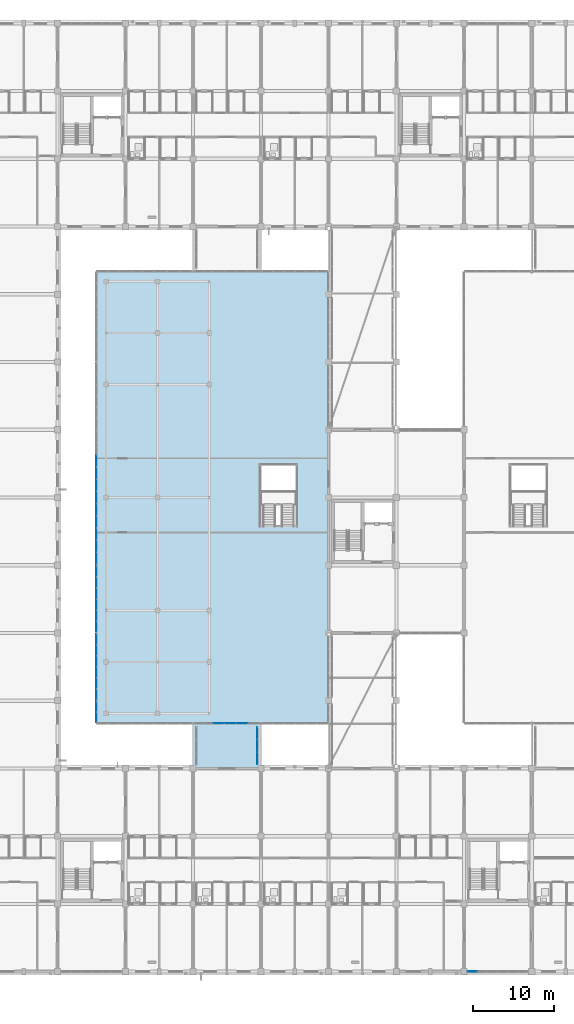
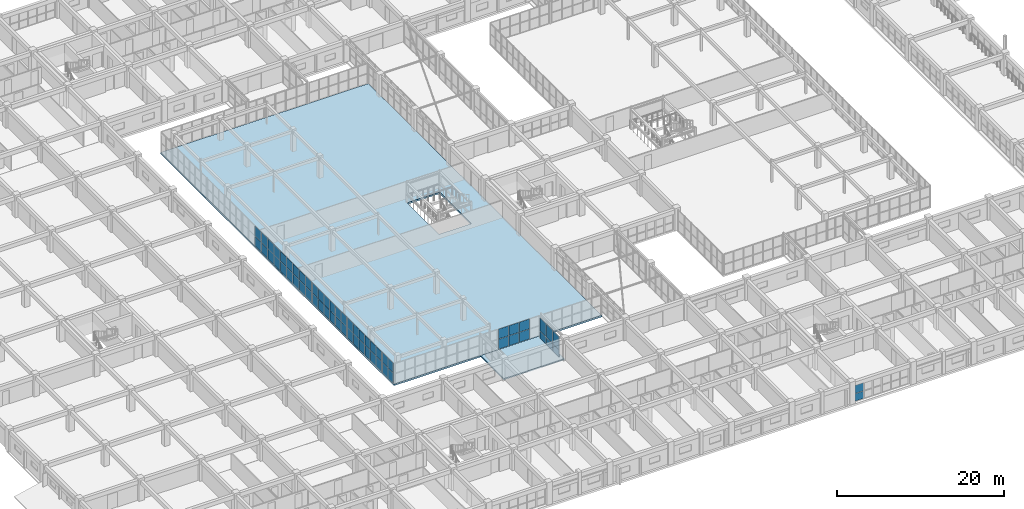
# One storey, part 147 of 200: 60 plates, 2 slabs, 7 elements without a shape of their own.
"""IFC4 building model written with IfcOpenShell, lengths in metres."""

from ifc_helpers import new_model, si_unit, direction, frame, origin, origin_2d, place, context, subcontext, project, spatial, polyline, rectangle, outline, extrude, material, layer, layer_set, type_object, element, aggregate, save


model = new_model("IFC4")

# Units and contexts
model_context = context("Model", 3, precision=1e-05, world=origin(), true_north=direction((0.0, 1.0)))
body_context = subcontext(model_context, "Body", "Model", "MODEL_VIEW")
ifc_project = project(units=[si_unit("LENGTHUNIT", "METRE"), si_unit("AREAUNIT", "SQUARE_METRE"), si_unit("VOLUMEUNIT", "CUBIC_METRE"), si_unit("PLANEANGLEUNIT", "RADIAN"), si_unit("MASSUNIT", "GRAM", prefix="KILO")], contexts=[model_context])

# Site, building, storey
site_placement = place(None, origin())
site = spatial("IfcSite", under=ifc_project, at=site_placement, CompositionType="ELEMENT")
building_placement = place(site_placement, origin())
building = spatial("IfcBuilding", under=site, at=building_placement, Name="Trelvath General Hospital", CompositionType="ELEMENT")
storey_placement = place(building_placement, frame((0.0, 0.0, 4.800048828125)))
storey = spatial("IfcBuildingStorey", under=building, at=storey_placement, Name="L01", CompositionType="ELEMENT", Elevation=4.800048828125)

# Slab
ifc_material_1 = material(Name="Concrete C35/45", Category="concrete")
ifc_layer_1 = layer(ifc_material_1, 0.18994140625)
ifc_layer_set_1 = layer_set([ifc_layer_1], Name="Concrete C35/45")
slab_type_1 = type_object("IfcSlabType", Name="BridgeDeck 190", PredefinedType="FLOOR", material=ifc_layer_set_1)
slab_1_placement = place(storey_placement, frame((0.0, 0.0, -0.18994140625)))
element("IfcSlab", 1, at=slab_1_placement, inside=storey, type_object=slab_type_1, Name="Courtyard Bridge Deck BRG-S-W L01", PredefinedType="FLOOR", context=body_context, shape_type="SweptSolid", body=[
    extrude(outline(polyline([(58.800048828125, 25.199951171875), (67.199951171875, 25.199951171875), (67.199951171875, 30.800048828125), (58.800048828125, 30.800048828125), (58.800048828125, 25.199951171875)])), origin(), (0.0, 0.0, 1.0), 0.18994140625),
])

# Curtain wall, plates
ifc_material_2 = material(Name="Anodised aluminium and low-E glass", Category="aluminium")
ifc_layer_2 = layer(ifc_material_2, 0.14990234375)
ifc_layer_set_2 = layer_set([ifc_layer_2], Name="Anodised aluminium and low-E glass")
curtain_wall_type_1 = type_object("IfcCurtainWallType", Name="CW CrystalCube 583 306 15", PredefinedType="USERDEFINED", material=ifc_layer_set_2)
curtain_wall_1_placement = place(storey_placement, origin())
curtain_wall_1 = element("IfcCurtainWall", 2, at=curtain_wall_1_placement, inside=storey, type_object=curtain_wall_type_1, Name="Crystal Cube Curtain Wall CUBE-W-T0 S4 L01", ObjectType="Unitised Glazed Curtain Wall", PredefinedType="USERDEFINED")
ifc_material_3 = material(Name="Low-E laminated glass", Category="glass")
ifc_layer_3 = layer(ifc_material_3, 0.028076171875)
ifc_layer_set_3 = layer_set([ifc_layer_3], Name="Low-E laminated glass")
plate_type_1 = type_object("IfcPlateType", Name="CurtainPanel Glass28", PredefinedType="CURTAIN_PANEL", material=ifc_layer_set_3)
plate_1_placement = place(storey_placement, frame((64.86376953125, 30.800048828125, 0.06005859375), z_axis=(0.0, 0.0, 1.0), x_axis=(-1.0, 0.0, 0.0)))
plate_1 = element("IfcPlate", 3, at=plate_1_placement, type_object=plate_type_1, Name="CW-131 panel 2.1", PredefinedType="CURTAIN_PANEL", context=body_context, shape_type="SweptSolid", body=[
    extrude(rectangle(XDim=1.3974609375, YDim=0.028076171875, at=origin_2d()), origin(), (0.0, 0.0, 1.0), 1.43994140625),
])
plate_2_placement = place(storey_placement, frame((64.86376953125, 30.800048828125, 1.56005859375), z_axis=(0.0, 0.0, 1.0), x_axis=(-1.0, 0.0, 0.0)))
plate_2 = element("IfcPlate", 4, at=plate_2_placement, type_object=plate_type_1, Name="CW-131 panel 2.2", PredefinedType="CURTAIN_PANEL", context=body_context, shape_type="SweptSolid", body=[
    extrude(rectangle(XDim=1.3974609375, YDim=0.028076171875, at=origin_2d()), origin(), (0.0, 0.0, 1.0), 1.43994140625),
])
plate_3_placement = place(storey_placement, frame((63.40625, 30.800048828125, 0.06005859375), z_axis=(0.0, 0.0, 1.0), x_axis=(-1.0, 0.0, 0.0)))
plate_3 = element("IfcPlate", 5, at=plate_3_placement, type_object=plate_type_1, Name="CW-131 panel 3.1", PredefinedType="CURTAIN_PANEL", context=body_context, shape_type="SweptSolid", body=[
    extrude(rectangle(XDim=1.3974609375, YDim=0.028076171875, at=origin_2d()), origin(), (0.0, 0.0, 1.0), 1.43994140625),
])
plate_4_placement = place(storey_placement, frame((63.40625, 30.800048828125, 1.56005859375), z_axis=(0.0, 0.0, 1.0), x_axis=(-1.0, 0.0, 0.0)))
plate_4 = element("IfcPlate", 6, at=plate_4_placement, type_object=plate_type_1, Name="CW-131 panel 3.2", PredefinedType="CURTAIN_PANEL", context=body_context, shape_type="SweptSolid", body=[
    extrude(rectangle(XDim=1.3974609375, YDim=0.028076171875, at=origin_2d()), origin(), (0.0, 0.0, 1.0), 1.43994140625),
])
plate_5_placement = place(storey_placement, frame((61.9638671875, 30.800048828125, 0.06005859375), z_axis=(0.0, 0.0, 1.0), x_axis=(-1.0, 0.0, 0.0)))
plate_5 = element("IfcPlate", 7, at=plate_5_placement, type_object=plate_type_1, Name="CW-131 panel 4.1", PredefinedType="CURTAIN_PANEL", context=body_context, shape_type="SweptSolid", body=[
    extrude(rectangle(XDim=1.367431640625, YDim=0.028076171875, at=origin_2d()), origin(), (0.0, 0.0, 1.0), 1.43994140625),
])
plate_6_placement = place(storey_placement, frame((61.9638671875, 30.800048828125, 1.56005859375), z_axis=(0.0, 0.0, 1.0), x_axis=(-1.0, 0.0, 0.0)))
plate_6 = element("IfcPlate", 8, at=plate_6_placement, type_object=plate_type_1, Name="CW-131 panel 4.2", PredefinedType="CURTAIN_PANEL", context=body_context, shape_type="SweptSolid", body=[
    extrude(rectangle(XDim=1.367431640625, YDim=0.028076171875, at=origin_2d()), origin(), (0.0, 0.0, 1.0), 1.43994140625),
])
aggregate(curtain_wall_1, [plate_1, plate_2, plate_3, plate_4, plate_5, plate_6])

ifc_material_4 = material(Name="Anodised aluminium and low-E glass", Category="aluminium")
ifc_layer_4 = layer(ifc_material_4, 0.14990234375)
ifc_layer_set_4 = layer_set([ifc_layer_4], Name="Anodised aluminium and low-E glass")
curtain_wall_type_2 = type_object("IfcCurtainWallType", Name="CW CrystalCube 264 306 15", PredefinedType="USERDEFINED", material=ifc_layer_set_4)
curtain_wall_2_placement = place(storey_placement, origin())
curtain_wall_2 = element("IfcCurtainWall", 9, at=curtain_wall_2_placement, inside=storey, type_object=curtain_wall_type_2, Name="Crystal Cube Curtain Wall CUBE-W-T0 W1 L01", ObjectType="Unitised Glazed Curtain Wall", PredefinedType="USERDEFINED")
plate_7_placement = place(storey_placement, frame((46.800048828125, 31.554931640625, 0.06005859375), z_axis=(0.0, 0.0, 1.0), x_axis=(0.0, 1.0, 0.0)))
plate_7 = element("IfcPlate", 10, at=plate_7_placement, type_object=plate_type_1, Name="CW-138 panel 1.1", PredefinedType="CURTAIN_PANEL", context=body_context, shape_type="SweptSolid", body=[
    extrude(rectangle(XDim=1.22998046875, YDim=0.028076171875, at=origin_2d()), origin(), (0.0, 0.0, 1.0), 1.43994140625),
])
plate_8_placement = place(storey_placement, frame((46.800048828125, 31.554931640625, 1.56005859375), z_axis=(0.0, 0.0, 1.0), x_axis=(0.0, 1.0, 0.0)))
plate_8 = element("IfcPlate", 11, at=plate_8_placement, type_object=plate_type_1, Name="CW-138 panel 1.2", PredefinedType="CURTAIN_PANEL", context=body_context, shape_type="SweptSolid", body=[
    extrude(rectangle(XDim=1.22998046875, YDim=0.028076171875, at=origin_2d()), origin(), (0.0, 0.0, 1.0), 1.43994140625),
])
plate_9_placement = place(storey_placement, frame((46.800048828125, 32.844970703125, 0.06005859375), z_axis=(0.0, 0.0, 1.0), x_axis=(0.0, 1.0, 0.0)))
plate_9 = element("IfcPlate", 12, at=plate_9_placement, type_object=plate_type_1, Name="CW-138 panel 2.1", PredefinedType="CURTAIN_PANEL", context=body_context, shape_type="SweptSolid", body=[
    extrude(rectangle(XDim=1.22998046875, YDim=0.028076171875, at=origin_2d()), origin(), (0.0, 0.0, 1.0), 1.43994140625),
])
plate_10_placement = place(storey_placement, frame((46.800048828125, 32.844970703125, 1.56005859375), z_axis=(0.0, 0.0, 1.0), x_axis=(0.0, 1.0, 0.0)))
plate_10 = element("IfcPlate", 13, at=plate_10_placement, type_object=plate_type_1, Name="CW-138 panel 2.2", PredefinedType="CURTAIN_PANEL", context=body_context, shape_type="SweptSolid", body=[
    extrude(rectangle(XDim=1.22998046875, YDim=0.028076171875, at=origin_2d()), origin(), (0.0, 0.0, 1.0), 1.43994140625),
])
aggregate(curtain_wall_2, [plate_7, plate_8, plate_9, plate_10])

ifc_material_5 = material(Name="Anodised aluminium and low-E glass", Category="aluminium")
ifc_layer_5 = layer(ifc_material_5, 0.14990234375)
ifc_layer_set_5 = layer_set([ifc_layer_5], Name="Anodised aluminium and low-E glass")
curtain_wall_type_3 = type_object("IfcCurtainWallType", Name="CW CrystalCube 824 306 15", PredefinedType="USERDEFINED", material=ifc_layer_set_5)
curtain_wall_3_placement = place(storey_placement, origin())
curtain_wall_3 = element("IfcCurtainWall", 14, at=curtain_wall_3_placement, inside=storey, type_object=curtain_wall_type_3, Name="Crystal Cube Curtain Wall CUBE-W-T0 W2 L01", ObjectType="Unitised Glazed Curtain Wall", PredefinedType="USERDEFINED")
plate_11_placement = place(storey_placement, frame((46.800048828125, 34.381591796875, 0.06005859375), z_axis=(0.0, 0.0, 1.0), x_axis=(0.0, 1.0, 0.0)))
plate_11 = element("IfcPlate", 15, at=plate_11_placement, type_object=plate_type_1, Name="CW-140 panel 1.1", PredefinedType="CURTAIN_PANEL", context=body_context, shape_type="SweptSolid", body=[
    extrude(rectangle(XDim=1.283447265625, YDim=0.028076171875, at=origin_2d()), origin(), (0.0, 0.0, 1.0), 1.43994140625),
])
plate_12_placement = place(storey_placement, frame((46.800048828125, 34.381591796875, 1.56005859375), z_axis=(0.0, 0.0, 1.0), x_axis=(0.0, 1.0, 0.0)))
plate_12 = element("IfcPlate", 16, at=plate_12_placement, type_object=plate_type_1, Name="CW-140 panel 1.2", PredefinedType="CURTAIN_PANEL", context=body_context, shape_type="SweptSolid", body=[
    extrude(rectangle(XDim=1.283447265625, YDim=0.028076171875, at=origin_2d()), origin(), (0.0, 0.0, 1.0), 1.43994140625),
])
plate_13_placement = place(storey_placement, frame((46.800048828125, 35.739990234375, 0.06005859375), z_axis=(0.0, 0.0, 1.0), x_axis=(0.0, 1.0, 0.0)))
plate_13 = element("IfcPlate", 17, at=plate_13_placement, type_object=plate_type_1, Name="CW-140 panel 2.1", PredefinedType="CURTAIN_PANEL", context=body_context, shape_type="SweptSolid", body=[
    extrude(rectangle(XDim=1.313232421875, YDim=0.028076171875, at=origin_2d()), origin(), (0.0, 0.0, 1.0), 1.43994140625),
])
plate_14_placement = place(storey_placement, frame((46.800048828125, 35.739990234375, 1.56005859375), z_axis=(0.0, 0.0, 1.0), x_axis=(0.0, 1.0, 0.0)))
plate_14 = element("IfcPlate", 18, at=plate_14_placement, type_object=plate_type_1, Name="CW-140 panel 2.2", PredefinedType="CURTAIN_PANEL", context=body_context, shape_type="SweptSolid", body=[
    extrude(rectangle(XDim=1.313232421875, YDim=0.028076171875, at=origin_2d()), origin(), (0.0, 0.0, 1.0), 1.43994140625),
])
plate_15_placement = place(storey_placement, frame((46.800048828125, 37.11328125, 0.06005859375), z_axis=(0.0, 0.0, 1.0), x_axis=(0.0, 1.0, 0.0)))
plate_15 = element("IfcPlate", 19, at=plate_15_placement, type_object=plate_type_1, Name="CW-140 panel 3.1", PredefinedType="CURTAIN_PANEL", context=body_context, shape_type="SweptSolid", body=[
    extrude(rectangle(XDim=1.313232421875, YDim=0.028076171875, at=origin_2d()), origin(), (0.0, 0.0, 1.0), 1.43994140625),
])
plate_16_placement = place(storey_placement, frame((46.800048828125, 37.11328125, 1.56005859375), z_axis=(0.0, 0.0, 1.0), x_axis=(0.0, 1.0, 0.0)))
plate_16 = element("IfcPlate", 20, at=plate_16_placement, type_object=plate_type_1, Name="CW-140 panel 3.2", PredefinedType="CURTAIN_PANEL", context=body_context, shape_type="SweptSolid", body=[
    extrude(rectangle(XDim=1.313232421875, YDim=0.028076171875, at=origin_2d()), origin(), (0.0, 0.0, 1.0), 1.43994140625),
])
plate_17_placement = place(storey_placement, frame((46.800048828125, 38.486572265625, 0.06005859375), z_axis=(0.0, 0.0, 1.0), x_axis=(0.0, 1.0, 0.0)))
plate_17 = element("IfcPlate", 21, at=plate_17_placement, type_object=plate_type_1, Name="CW-140 panel 4.1", PredefinedType="CURTAIN_PANEL", context=body_context, shape_type="SweptSolid", body=[
    extrude(rectangle(XDim=1.313232421875, YDim=0.028076171875, at=origin_2d()), origin(), (0.0, 0.0, 1.0), 1.43994140625),
])
plate_18_placement = place(storey_placement, frame((46.800048828125, 38.486572265625, 1.56005859375), z_axis=(0.0, 0.0, 1.0), x_axis=(0.0, 1.0, 0.0)))
plate_18 = element("IfcPlate", 22, at=plate_18_placement, type_object=plate_type_1, Name="CW-140 panel 4.2", PredefinedType="CURTAIN_PANEL", context=body_context, shape_type="SweptSolid", body=[
    extrude(rectangle(XDim=1.313232421875, YDim=0.028076171875, at=origin_2d()), origin(), (0.0, 0.0, 1.0), 1.43994140625),
])
plate_19_placement = place(storey_placement, frame((46.800048828125, 39.860107421875, 0.06005859375), z_axis=(0.0, 0.0, 1.0), x_axis=(0.0, 1.0, 0.0)))
plate_19 = element("IfcPlate", 23, at=plate_19_placement, type_object=plate_type_1, Name="CW-140 panel 5.1", PredefinedType="CURTAIN_PANEL", context=body_context, shape_type="SweptSolid", body=[
    extrude(rectangle(XDim=1.313232421875, YDim=0.028076171875, at=origin_2d()), origin(), (0.0, 0.0, 1.0), 1.43994140625),
])
plate_20_placement = place(storey_placement, frame((46.800048828125, 39.860107421875, 1.56005859375), z_axis=(0.0, 0.0, 1.0), x_axis=(0.0, 1.0, 0.0)))
plate_20 = element("IfcPlate", 24, at=plate_20_placement, type_object=plate_type_1, Name="CW-140 panel 5.2", PredefinedType="CURTAIN_PANEL", context=body_context, shape_type="SweptSolid", body=[
    extrude(rectangle(XDim=1.313232421875, YDim=0.028076171875, at=origin_2d()), origin(), (0.0, 0.0, 1.0), 1.43994140625),
])
plate_21_placement = place(storey_placement, frame((46.800048828125, 41.21826171875, 0.06005859375), z_axis=(0.0, 0.0, 1.0), x_axis=(0.0, 1.0, 0.0)))
plate_21 = element("IfcPlate", 25, at=plate_21_placement, type_object=plate_type_1, Name="CW-140 panel 6.1", PredefinedType="CURTAIN_PANEL", context=body_context, shape_type="SweptSolid", body=[
    extrude(rectangle(XDim=1.283447265625, YDim=0.028076171875, at=origin_2d()), origin(), (0.0, 0.0, 1.0), 1.43994140625),
])
plate_22_placement = place(storey_placement, frame((46.800048828125, 41.21826171875, 1.56005859375), z_axis=(0.0, 0.0, 1.0), x_axis=(0.0, 1.0, 0.0)))
plate_22 = element("IfcPlate", 26, at=plate_22_placement, type_object=plate_type_1, Name="CW-140 panel 6.2", PredefinedType="CURTAIN_PANEL", context=body_context, shape_type="SweptSolid", body=[
    extrude(rectangle(XDim=1.283447265625, YDim=0.028076171875, at=origin_2d()), origin(), (0.0, 0.0, 1.0), 1.43994140625),
])
aggregate(curtain_wall_3, [plate_11, plate_12, plate_13, plate_14, plate_15, plate_16, plate_17, plate_18, plate_19, plate_20, plate_21, plate_22])

curtain_wall_4_placement = place(storey_placement, origin())
curtain_wall_4 = element("IfcCurtainWall", 27, at=curtain_wall_4_placement, inside=storey, type_object=curtain_wall_type_3, Name="Crystal Cube Curtain Wall CUBE-W-T0 W3 L01", ObjectType="Unitised Glazed Curtain Wall", PredefinedType="USERDEFINED")
plate_23_placement = place(storey_placement, frame((46.800048828125, 42.78173828125, 0.06005859375), z_axis=(0.0, 0.0, 1.0), x_axis=(0.0, 1.0, 0.0)))
plate_23 = element("IfcPlate", 28, at=plate_23_placement, type_object=plate_type_1, Name="CW-142 panel 1.1", PredefinedType="CURTAIN_PANEL", context=body_context, shape_type="SweptSolid", body=[
    extrude(rectangle(XDim=1.283447265625, YDim=0.028076171875, at=origin_2d()), origin(), (0.0, 0.0, 1.0), 1.43994140625),
])
plate_24_placement = place(storey_placement, frame((46.800048828125, 42.78173828125, 1.56005859375), z_axis=(0.0, 0.0, 1.0), x_axis=(0.0, 1.0, 0.0)))
plate_24 = element("IfcPlate", 29, at=plate_24_placement, type_object=plate_type_1, Name="CW-142 panel 1.2", PredefinedType="CURTAIN_PANEL", context=body_context, shape_type="SweptSolid", body=[
    extrude(rectangle(XDim=1.283447265625, YDim=0.028076171875, at=origin_2d()), origin(), (0.0, 0.0, 1.0), 1.43994140625),
])
plate_25_placement = place(storey_placement, frame((46.800048828125, 44.139892578125, 0.06005859375), z_axis=(0.0, 0.0, 1.0), x_axis=(0.0, 1.0, 0.0)))
plate_25 = element("IfcPlate", 30, at=plate_25_placement, type_object=plate_type_1, Name="CW-142 panel 2.1", PredefinedType="CURTAIN_PANEL", context=body_context, shape_type="SweptSolid", body=[
    extrude(rectangle(XDim=1.313232421875, YDim=0.028076171875, at=origin_2d()), origin(), (0.0, 0.0, 1.0), 1.43994140625),
])
plate_26_placement = place(storey_placement, frame((46.800048828125, 44.139892578125, 1.56005859375), z_axis=(0.0, 0.0, 1.0), x_axis=(0.0, 1.0, 0.0)))
plate_26 = element("IfcPlate", 31, at=plate_26_placement, type_object=plate_type_1, Name="CW-142 panel 2.2", PredefinedType="CURTAIN_PANEL", context=body_context, shape_type="SweptSolid", body=[
    extrude(rectangle(XDim=1.313232421875, YDim=0.028076171875, at=origin_2d()), origin(), (0.0, 0.0, 1.0), 1.43994140625),
])
plate_27_placement = place(storey_placement, frame((46.800048828125, 45.513427734375, 0.06005859375), z_axis=(0.0, 0.0, 1.0), x_axis=(0.0, 1.0, 0.0)))
plate_27 = element("IfcPlate", 32, at=plate_27_placement, type_object=plate_type_1, Name="CW-142 panel 3.1", PredefinedType="CURTAIN_PANEL", context=body_context, shape_type="SweptSolid", body=[
    extrude(rectangle(XDim=1.313232421875, YDim=0.028076171875, at=origin_2d()), origin(), (0.0, 0.0, 1.0), 1.43994140625),
])
plate_28_placement = place(storey_placement, frame((46.800048828125, 45.513427734375, 1.56005859375), z_axis=(0.0, 0.0, 1.0), x_axis=(0.0, 1.0, 0.0)))
plate_28 = element("IfcPlate", 33, at=plate_28_placement, type_object=plate_type_1, Name="CW-142 panel 3.2", PredefinedType="CURTAIN_PANEL", context=body_context, shape_type="SweptSolid", body=[
    extrude(rectangle(XDim=1.313232421875, YDim=0.028076171875, at=origin_2d()), origin(), (0.0, 0.0, 1.0), 1.43994140625),
])
plate_29_placement = place(storey_placement, frame((46.800048828125, 46.88671875, 0.06005859375), z_axis=(0.0, 0.0, 1.0), x_axis=(0.0, 1.0, 0.0)))
plate_29 = element("IfcPlate", 34, at=plate_29_placement, type_object=plate_type_1, Name="CW-142 panel 4.1", PredefinedType="CURTAIN_PANEL", context=body_context, shape_type="SweptSolid", body=[
    extrude(rectangle(XDim=1.313232421875, YDim=0.028076171875, at=origin_2d()), origin(), (0.0, 0.0, 1.0), 1.43994140625),
])
plate_30_placement = place(storey_placement, frame((46.800048828125, 46.88671875, 1.56005859375), z_axis=(0.0, 0.0, 1.0), x_axis=(0.0, 1.0, 0.0)))
plate_30 = element("IfcPlate", 35, at=plate_30_placement, type_object=plate_type_1, Name="CW-142 panel 4.2", PredefinedType="CURTAIN_PANEL", context=body_context, shape_type="SweptSolid", body=[
    extrude(rectangle(XDim=1.313232421875, YDim=0.028076171875, at=origin_2d()), origin(), (0.0, 0.0, 1.0), 1.43994140625),
])
plate_31_placement = place(storey_placement, frame((46.800048828125, 48.260009765625, 0.06005859375), z_axis=(0.0, 0.0, 1.0), x_axis=(0.0, 1.0, 0.0)))
plate_31 = element("IfcPlate", 36, at=plate_31_placement, type_object=plate_type_1, Name="CW-142 panel 5.1", PredefinedType="CURTAIN_PANEL", context=body_context, shape_type="SweptSolid", body=[
    extrude(rectangle(XDim=1.313232421875, YDim=0.028076171875, at=origin_2d()), origin(), (0.0, 0.0, 1.0), 1.43994140625),
])
plate_32_placement = place(storey_placement, frame((46.800048828125, 48.260009765625, 1.56005859375), z_axis=(0.0, 0.0, 1.0), x_axis=(0.0, 1.0, 0.0)))
plate_32 = element("IfcPlate", 37, at=plate_32_placement, type_object=plate_type_1, Name="CW-142 panel 5.2", PredefinedType="CURTAIN_PANEL", context=body_context, shape_type="SweptSolid", body=[
    extrude(rectangle(XDim=1.313232421875, YDim=0.028076171875, at=origin_2d()), origin(), (0.0, 0.0, 1.0), 1.43994140625),
])
plate_33_placement = place(storey_placement, frame((46.800048828125, 49.618408203125, 0.06005859375), z_axis=(0.0, 0.0, 1.0), x_axis=(0.0, 1.0, 0.0)))
plate_33 = element("IfcPlate", 38, at=plate_33_placement, type_object=plate_type_1, Name="CW-142 panel 6.1", PredefinedType="CURTAIN_PANEL", context=body_context, shape_type="SweptSolid", body=[
    extrude(rectangle(XDim=1.283447265625, YDim=0.028076171875, at=origin_2d()), origin(), (0.0, 0.0, 1.0), 1.43994140625),
])
plate_34_placement = place(storey_placement, frame((46.800048828125, 49.618408203125, 1.56005859375), z_axis=(0.0, 0.0, 1.0), x_axis=(0.0, 1.0, 0.0)))
plate_34 = element("IfcPlate", 39, at=plate_34_placement, type_object=plate_type_1, Name="CW-142 panel 6.2", PredefinedType="CURTAIN_PANEL", context=body_context, shape_type="SweptSolid", body=[
    extrude(rectangle(XDim=1.283447265625, YDim=0.028076171875, at=origin_2d()), origin(), (0.0, 0.0, 1.0), 1.43994140625),
])
aggregate(curtain_wall_4, [plate_23, plate_24, plate_25, plate_26, plate_27, plate_28, plate_29, plate_30, plate_31, plate_32, plate_33, plate_34])

ifc_material_6 = material(Name="Anodised aluminium and low-E glass", Category="aluminium")
ifc_layer_6 = layer(ifc_material_6, 0.14990234375)
ifc_layer_set_6 = layer_set([ifc_layer_6], Name="Anodised aluminium and low-E glass")
curtain_wall_type_4 = type_object("IfcCurtainWallType", Name="CW CrystalCube 1664 306 15", PredefinedType="USERDEFINED", material=ifc_layer_set_6)
curtain_wall_5_placement = place(storey_placement, origin())
curtain_wall_5 = element("IfcCurtainWall", 40, at=curtain_wall_5_placement, inside=storey, type_object=curtain_wall_type_4, Name="Crystal Cube Curtain Wall CUBE-W-T0 W4 L01", ObjectType="Unitised Glazed Curtain Wall", PredefinedType="USERDEFINED")
plate_35_placement = place(storey_placement, frame((46.800048828125, 51.25146484375, 0.06005859375), z_axis=(0.0, 0.0, 1.0), x_axis=(0.0, 1.0, 0.0)))
plate_35 = element("IfcPlate", 41, at=plate_35_placement, type_object=plate_type_1, Name="CW-143 panel 1.1", PredefinedType="CURTAIN_PANEL", context=body_context, shape_type="SweptSolid", body=[
    extrude(rectangle(XDim=1.422607421875, YDim=0.028076171875, at=origin_2d()), origin(), (0.0, 0.0, 1.0), 1.43994140625),
])
plate_36_placement = place(storey_placement, frame((46.800048828125, 51.25146484375, 1.56005859375), z_axis=(0.0, 0.0, 1.0), x_axis=(0.0, 1.0, 0.0)))
plate_36 = element("IfcPlate", 42, at=plate_36_placement, type_object=plate_type_1, Name="CW-143 panel 1.2", PredefinedType="CURTAIN_PANEL", context=body_context, shape_type="SweptSolid", body=[
    extrude(rectangle(XDim=1.422607421875, YDim=0.028076171875, at=origin_2d()), origin(), (0.0, 0.0, 1.0), 1.43994140625),
])
plate_37_placement = place(storey_placement, frame((46.800048828125, 52.7490234375, 0.06005859375), z_axis=(0.0, 0.0, 1.0), x_axis=(0.0, 1.0, 0.0)))
plate_37 = element("IfcPlate", 43, at=plate_37_placement, type_object=plate_type_1, Name="CW-143 panel 2.1", PredefinedType="CURTAIN_PANEL", context=body_context, shape_type="SweptSolid", body=[
    extrude(rectangle(XDim=1.45263671875, YDim=0.028076171875, at=origin_2d()), origin(), (0.0, 0.0, 1.0), 1.43994140625),
])
plate_38_placement = place(storey_placement, frame((46.800048828125, 52.7490234375, 1.56005859375), z_axis=(0.0, 0.0, 1.0), x_axis=(0.0, 1.0, 0.0)))
plate_38 = element("IfcPlate", 44, at=plate_38_placement, type_object=plate_type_1, Name="CW-143 panel 2.2", PredefinedType="CURTAIN_PANEL", context=body_context, shape_type="SweptSolid", body=[
    extrude(rectangle(XDim=1.45263671875, YDim=0.028076171875, at=origin_2d()), origin(), (0.0, 0.0, 1.0), 1.43994140625),
])
plate_39_placement = place(storey_placement, frame((46.800048828125, 54.26171875, 0.06005859375), z_axis=(0.0, 0.0, 1.0), x_axis=(0.0, 1.0, 0.0)))
plate_39 = element("IfcPlate", 45, at=plate_39_placement, type_object=plate_type_1, Name="CW-143 panel 3.1", PredefinedType="CURTAIN_PANEL", context=body_context, shape_type="SweptSolid", body=[
    extrude(rectangle(XDim=1.45263671875, YDim=0.028076171875, at=origin_2d()), origin(), (0.0, 0.0, 1.0), 1.43994140625),
])
plate_40_placement = place(storey_placement, frame((46.800048828125, 54.26171875, 1.56005859375), z_axis=(0.0, 0.0, 1.0), x_axis=(0.0, 1.0, 0.0)))
plate_40 = element("IfcPlate", 46, at=plate_40_placement, type_object=plate_type_1, Name="CW-143 panel 3.2", PredefinedType="CURTAIN_PANEL", context=body_context, shape_type="SweptSolid", body=[
    extrude(rectangle(XDim=1.45263671875, YDim=0.028076171875, at=origin_2d()), origin(), (0.0, 0.0, 1.0), 1.43994140625),
])
plate_41_placement = place(storey_placement, frame((46.800048828125, 55.774658203125, 0.06005859375), z_axis=(0.0, 0.0, 1.0), x_axis=(0.0, 1.0, 0.0)))
plate_41 = element("IfcPlate", 47, at=plate_41_placement, type_object=plate_type_1, Name="CW-143 panel 4.1", PredefinedType="CURTAIN_PANEL", context=body_context, shape_type="SweptSolid", body=[
    extrude(rectangle(XDim=1.45263671875, YDim=0.028076171875, at=origin_2d()), origin(), (0.0, 0.0, 1.0), 1.43994140625),
])
plate_42_placement = place(storey_placement, frame((46.800048828125, 55.774658203125, 1.56005859375), z_axis=(0.0, 0.0, 1.0), x_axis=(0.0, 1.0, 0.0)))
plate_42 = element("IfcPlate", 48, at=plate_42_placement, type_object=plate_type_1, Name="CW-143 panel 4.2", PredefinedType="CURTAIN_PANEL", context=body_context, shape_type="SweptSolid", body=[
    extrude(rectangle(XDim=1.45263671875, YDim=0.028076171875, at=origin_2d()), origin(), (0.0, 0.0, 1.0), 1.43994140625),
])
plate_43_placement = place(storey_placement, frame((46.800048828125, 57.287353515625, 0.06005859375), z_axis=(0.0, 0.0, 1.0), x_axis=(0.0, 1.0, 0.0)))
plate_43 = element("IfcPlate", 49, at=plate_43_placement, type_object=plate_type_1, Name="CW-143 panel 5.1", PredefinedType="CURTAIN_PANEL", context=body_context, shape_type="SweptSolid", body=[
    extrude(rectangle(XDim=1.45263671875, YDim=0.028076171875, at=origin_2d()), origin(), (0.0, 0.0, 1.0), 1.43994140625),
])
plate_44_placement = place(storey_placement, frame((46.800048828125, 57.287353515625, 1.56005859375), z_axis=(0.0, 0.0, 1.0), x_axis=(0.0, 1.0, 0.0)))
plate_44 = element("IfcPlate", 50, at=plate_44_placement, type_object=plate_type_1, Name="CW-143 panel 5.2", PredefinedType="CURTAIN_PANEL", context=body_context, shape_type="SweptSolid", body=[
    extrude(rectangle(XDim=1.45263671875, YDim=0.028076171875, at=origin_2d()), origin(), (0.0, 0.0, 1.0), 1.43994140625),
])
plate_45_placement = place(storey_placement, frame((46.800048828125, 58.800048828125, 0.06005859375), z_axis=(0.0, 0.0, 1.0), x_axis=(0.0, 1.0, 0.0)))
plate_45 = element("IfcPlate", 51, at=plate_45_placement, type_object=plate_type_1, Name="CW-143 panel 6.1", PredefinedType="CURTAIN_PANEL", context=body_context, shape_type="SweptSolid", body=[
    extrude(rectangle(XDim=1.45263671875, YDim=0.028076171875, at=origin_2d()), origin(), (0.0, 0.0, 1.0), 1.43994140625),
])
plate_46_placement = place(storey_placement, frame((46.800048828125, 58.800048828125, 1.56005859375), z_axis=(0.0, 0.0, 1.0), x_axis=(0.0, 1.0, 0.0)))
plate_46 = element("IfcPlate", 52, at=plate_46_placement, type_object=plate_type_1, Name="CW-143 panel 6.2", PredefinedType="CURTAIN_PANEL", context=body_context, shape_type="SweptSolid", body=[
    extrude(rectangle(XDim=1.45263671875, YDim=0.028076171875, at=origin_2d()), origin(), (0.0, 0.0, 1.0), 1.43994140625),
])
plate_47_placement = place(storey_placement, frame((46.800048828125, 60.312744140625, 0.06005859375), z_axis=(0.0, 0.0, 1.0), x_axis=(0.0, 1.0, 0.0)))
plate_47 = element("IfcPlate", 53, at=plate_47_placement, type_object=plate_type_1, Name="CW-143 panel 7.1", PredefinedType="CURTAIN_PANEL", context=body_context, shape_type="SweptSolid", body=[
    extrude(rectangle(XDim=1.45263671875, YDim=0.028076171875, at=origin_2d()), origin(), (0.0, 0.0, 1.0), 1.43994140625),
])
plate_48_placement = place(storey_placement, frame((46.800048828125, 60.312744140625, 1.56005859375), z_axis=(0.0, 0.0, 1.0), x_axis=(0.0, 1.0, 0.0)))
plate_48 = element("IfcPlate", 54, at=plate_48_placement, type_object=plate_type_1, Name="CW-143 panel 7.2", PredefinedType="CURTAIN_PANEL", context=body_context, shape_type="SweptSolid", body=[
    extrude(rectangle(XDim=1.45263671875, YDim=0.028076171875, at=origin_2d()), origin(), (0.0, 0.0, 1.0), 1.43994140625),
])
plate_49_placement = place(storey_placement, frame((46.800048828125, 61.825439453125, 0.06005859375), z_axis=(0.0, 0.0, 1.0), x_axis=(0.0, 1.0, 0.0)))
plate_49 = element("IfcPlate", 55, at=plate_49_placement, type_object=plate_type_1, Name="CW-143 panel 8.1", PredefinedType="CURTAIN_PANEL", context=body_context, shape_type="SweptSolid", body=[
    extrude(rectangle(XDim=1.45263671875, YDim=0.028076171875, at=origin_2d()), origin(), (0.0, 0.0, 1.0), 1.43994140625),
])
plate_50_placement = place(storey_placement, frame((46.800048828125, 61.825439453125, 1.56005859375), z_axis=(0.0, 0.0, 1.0), x_axis=(0.0, 1.0, 0.0)))
plate_50 = element("IfcPlate", 56, at=plate_50_placement, type_object=plate_type_1, Name="CW-143 panel 8.2", PredefinedType="CURTAIN_PANEL", context=body_context, shape_type="SweptSolid", body=[
    extrude(rectangle(XDim=1.45263671875, YDim=0.028076171875, at=origin_2d()), origin(), (0.0, 0.0, 1.0), 1.43994140625),
])
plate_51_placement = place(storey_placement, frame((46.800048828125, 63.338134765625, 0.06005859375), z_axis=(0.0, 0.0, 1.0), x_axis=(0.0, 1.0, 0.0)))
plate_51 = element("IfcPlate", 57, at=plate_51_placement, type_object=plate_type_1, Name="CW-143 panel 9.1", PredefinedType="CURTAIN_PANEL", context=body_context, shape_type="SweptSolid", body=[
    extrude(rectangle(XDim=1.45263671875, YDim=0.028076171875, at=origin_2d()), origin(), (0.0, 0.0, 1.0), 1.43994140625),
])
plate_52_placement = place(storey_placement, frame((46.800048828125, 63.338134765625, 1.56005859375), z_axis=(0.0, 0.0, 1.0), x_axis=(0.0, 1.0, 0.0)))
plate_52 = element("IfcPlate", 58, at=plate_52_placement, type_object=plate_type_1, Name="CW-143 panel 9.2", PredefinedType="CURTAIN_PANEL", context=body_context, shape_type="SweptSolid", body=[
    extrude(rectangle(XDim=1.45263671875, YDim=0.028076171875, at=origin_2d()), origin(), (0.0, 0.0, 1.0), 1.43994140625),
])
aggregate(curtain_wall_5, [plate_35, plate_36, plate_37, plate_38, plate_39, plate_40, plate_41, plate_42, plate_43, plate_44, plate_45, plate_46, plate_47, plate_48, plate_49, plate_50, plate_51, plate_52])

ifc_material_7 = material(Name="Anodised aluminium and low-E glass", Category="aluminium")
ifc_layer_7 = layer(ifc_material_7, 0.139892578125)
ifc_layer_set_7 = layer_set([ifc_layer_7], Name="Anodised aluminium and low-E glass")
curtain_wall_type_5 = type_object("IfcCurtainWallType", Name="CW Bridge 472 311", PredefinedType="USERDEFINED", material=ifc_layer_set_7)
curtain_wall_6_placement = place(storey_placement, origin())
curtain_wall_6 = element("IfcCurtainWall", 59, at=curtain_wall_6_placement, inside=storey, type_object=curtain_wall_type_5, Name="Glazed Bridge Curtain Wall BRG-S-W E L01", ObjectType="Unitised Glazed Curtain Wall", PredefinedType="USERDEFINED")
plate_53_placement = place(storey_placement, frame((66.760009765625, 29.558349609375, 0.06005859375), z_axis=(0.0, 0.0, 1.0), x_axis=(0.0, -1.0, 0.0)))
plate_53 = element("IfcPlate", 60, at=plate_53_placement, type_object=plate_type_1, Name="CW-185 panel 1.1", PredefinedType="CURTAIN_PANEL", context=body_context, shape_type="SweptSolid", body=[
    extrude(rectangle(XDim=1.4833984375, YDim=0.028076171875, at=origin_2d()), origin(), (0.0, 0.0, 1.0), 1.010009765625),
])
plate_54_placement = place(storey_placement, frame((66.760009765625, 29.558349609375, 1.1298828125), z_axis=(0.0, 0.0, 1.0), x_axis=(0.0, -1.0, 0.0)))
plate_54 = element("IfcPlate", 61, at=plate_54_placement, type_object=plate_type_1, Name="CW-185 panel 1.2", PredefinedType="CURTAIN_PANEL", context=body_context, shape_type="SweptSolid", body=[
    extrude(rectangle(XDim=1.4833984375, YDim=0.028076171875, at=origin_2d()), origin(), (0.0, 0.0, 1.0), 1.919921875),
])
plate_55_placement = place(storey_placement, frame((66.760009765625, 28.0, 0.06005859375), z_axis=(0.0, 0.0, 1.0), x_axis=(0.0, -1.0, 0.0)))
plate_55 = element("IfcPlate", 62, at=plate_55_placement, type_object=plate_type_1, Name="CW-185 panel 2.1", PredefinedType="CURTAIN_PANEL", context=body_context, shape_type="SweptSolid", body=[
    extrude(rectangle(XDim=1.513427734375, YDim=0.028076171875, at=origin_2d()), origin(), (0.0, 0.0, 1.0), 1.010009765625),
])
plate_56_placement = place(storey_placement, frame((66.760009765625, 28.0, 1.1298828125), z_axis=(0.0, 0.0, 1.0), x_axis=(0.0, -1.0, 0.0)))
plate_56 = element("IfcPlate", 63, at=plate_56_placement, type_object=plate_type_1, Name="CW-185 panel 2.2", PredefinedType="CURTAIN_PANEL", context=body_context, shape_type="SweptSolid", body=[
    extrude(rectangle(XDim=1.513427734375, YDim=0.028076171875, at=origin_2d()), origin(), (0.0, 0.0, 1.0), 1.919921875),
])
plate_57_placement = place(storey_placement, frame((66.760009765625, 26.441650390625, 0.06005859375), z_axis=(0.0, 0.0, 1.0), x_axis=(0.0, -1.0, 0.0)))
plate_57 = element("IfcPlate", 64, at=plate_57_placement, type_object=plate_type_1, Name="CW-185 panel 3.1", PredefinedType="CURTAIN_PANEL", context=body_context, shape_type="SweptSolid", body=[
    extrude(rectangle(XDim=1.4833984375, YDim=0.028076171875, at=origin_2d()), origin(), (0.0, 0.0, 1.0), 1.010009765625),
])
plate_58_placement = place(storey_placement, frame((66.760009765625, 26.441650390625, 1.1298828125), z_axis=(0.0, 0.0, 1.0), x_axis=(0.0, -1.0, 0.0)))
plate_58 = element("IfcPlate", 65, at=plate_58_placement, type_object=plate_type_1, Name="CW-185 panel 3.2", PredefinedType="CURTAIN_PANEL", context=body_context, shape_type="SweptSolid", body=[
    extrude(rectangle(XDim=1.4833984375, YDim=0.028076171875, at=origin_2d()), origin(), (0.0, 0.0, 1.0), 1.919921875),
])
aggregate(curtain_wall_6, [plate_53, plate_54, plate_55, plate_56, plate_57, plate_58])

ifc_material_8 = material(Name="Anodised aluminium and low-E glass", Category="aluminium")
ifc_layer_8 = layer(ifc_material_8, 0.159912109375)
ifc_layer_set_8 = layer_set([ifc_layer_8], Name="Anodised aluminium and low-E glass")
curtain_wall_type_6 = type_object("IfcCurtainWallType", Name="CW Facade 754 242 16", PredefinedType="USERDEFINED", material=ifc_layer_set_8)
curtain_wall_7_placement = place(storey_placement, origin())
curtain_wall_7 = element("IfcCurtainWall", 66, at=curtain_wall_7_placement, inside=storey, type_object=curtain_wall_type_6, Name="Facade Curtain Wall CW-018", ObjectType="Unitised Glazed Curtain Wall", PredefinedType="USERDEFINED")
ifc_material_9 = material(Name="Insulated aluminium spandrel", Category="aluminium")
ifc_layer_9 = layer(ifc_material_9, 0.0439453125)
ifc_layer_set_9 = layer_set([ifc_layer_9], Name="Insulated aluminium spandrel")
plate_type_2 = type_object("IfcPlateType", Name="CurtainPanel Spandrel44", PredefinedType="CURTAIN_PANEL", material=ifc_layer_set_9)
plate_59_placement = place(storey_placement, frame((93.473388671875, 0.0, 0.06005859375), z_axis=(0.0, 0.0, 1.0), x_axis=(-1.0, 0.0, 0.0)))
plate_59 = element("IfcPlate", 67, at=plate_59_placement, type_object=plate_type_2, Name="CW-018 panel 6.1", PredefinedType="CURTAIN_PANEL", context=body_context, shape_type="SweptSolid", body=[
    extrude(rectangle(XDim=1.166748046875, YDim=0.0439453125, at=origin_2d()), origin(), (0.0, 0.0, 1.0), 1.072021484375),
])
plate_60_placement = place(storey_placement, frame((93.473388671875, 0.0, 1.19189453125), z_axis=(0.0, 0.0, 1.0), x_axis=(-1.0, 0.0, 0.0)))
plate_60 = element("IfcPlate", 68, at=plate_60_placement, type_object=plate_type_2, Name="CW-018 panel 6.2", PredefinedType="CURTAIN_PANEL", context=body_context, shape_type="SweptSolid", body=[
    extrude(rectangle(XDim=1.166748046875, YDim=0.0439453125, at=origin_2d()), origin(), (0.0, 0.0, 1.0), 1.16796875),
])
aggregate(curtain_wall_7, [plate_59, plate_60])

# Slab
ifc_material_10 = material(Name="Concrete C35/45", Category="concrete")
ifc_layer_10 = layer(ifc_material_10, 0.239990234375)
ifc_layer_set_10 = layer_set([ifc_layer_10], Name="Concrete C35/45")
slab_type_2 = type_object("IfcSlabType", Name="FlatSlab Cube240", PredefinedType="FLOOR", material=ifc_layer_set_10)
slab_2_placement = place(storey_placement, frame((0.0, 0.0, -0.239990234375)))
element("IfcSlab", 69, at=slab_2_placement, inside=storey, type_object=slab_type_2, Name="Crystal Cube Slab CUBE-W-T0 L01", PredefinedType="FLOOR", context=body_context, shape_type="SweptSolid", body=[
    extrude(outline(polyline([(46.800048828125, 30.800048828125), (75.60009765625, 30.800048828125), (75.60009765625, 86.800048828125), (46.800048828125, 86.800048828125), (46.800048828125, 30.800048828125)]), holes=[polyline([(67.14990234375, 55.25), (71.64990234375, 55.25), (71.64990234375, 62.85009765625), (67.14990234375, 62.85009765625), (67.14990234375, 55.25)])]), origin(), (0.0, 0.0, 1.0), 0.239990234375),
])

save(model, "model.ifc")
